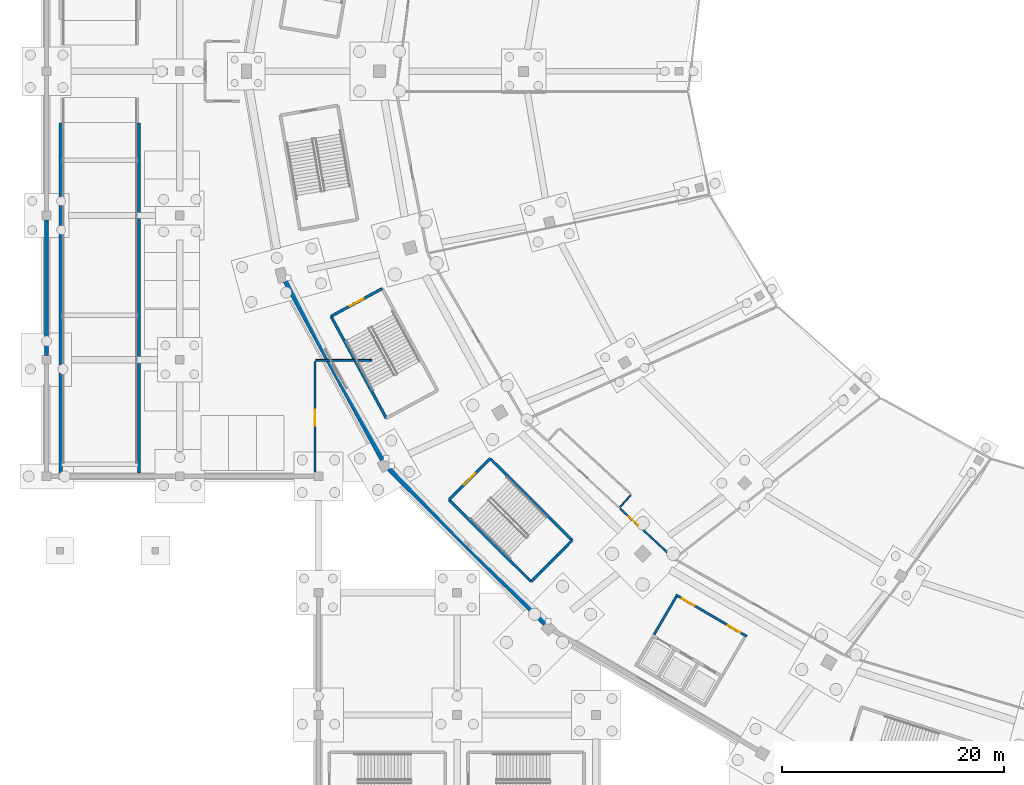
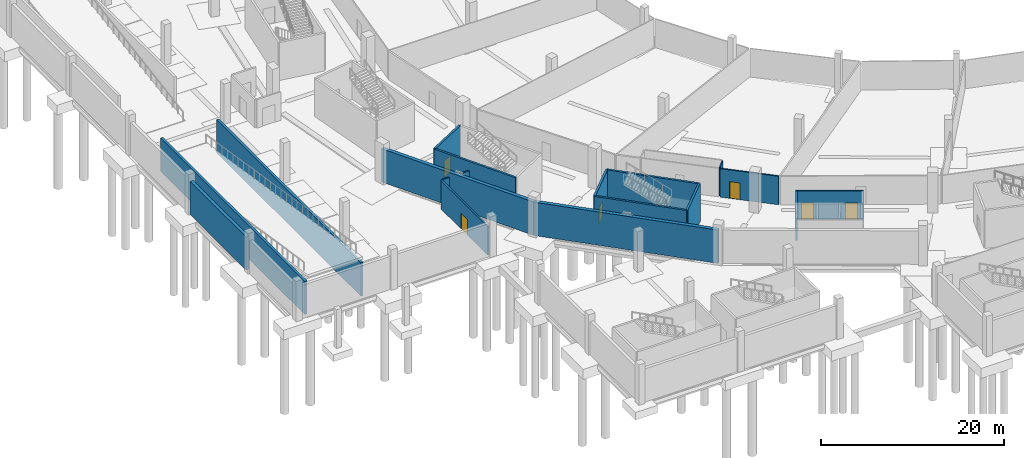
# One storey, part 32 of 74: 17 walls, 6 doors, 6 openings.
"""IFC4 building model written with IfcOpenShell, lengths in metres."""

from ifc_helpers import new_model, si_unit, direction, frame, frame_2d, origin, place, context, subcontext, project, spatial, rectangle, extrude, material, layer, layer_set, type_object, element, fill, save


model = new_model("IFC4")

# Units and contexts
model_context = context("Model", 3, precision=1e-05, world=origin(), true_north=direction((0.0, 1.0)))
body_context = subcontext(model_context, "Body", "Model", "MODEL_VIEW")
ifc_project = project(units=[si_unit("LENGTHUNIT", "METRE"), si_unit("AREAUNIT", "SQUARE_METRE"), si_unit("VOLUMEUNIT", "CUBIC_METRE"), si_unit("PLANEANGLEUNIT", "RADIAN"), si_unit("MASSUNIT", "GRAM", prefix="KILO")], contexts=[model_context])

# Site, building, storey
site_placement = place(None, origin())
site = spatial("IfcSite", under=ifc_project, at=site_placement, CompositionType="ELEMENT")
building_placement = place(site_placement, origin())
building = spatial("IfcBuilding", under=site, at=building_placement, Name="Zlatoyarsky Gate Stadium", CompositionType="ELEMENT")
storey_placement = place(building_placement, frame((0.0, 0.0, -5.39990234375)))
storey = spatial("IfcBuildingStorey", under=building, at=storey_placement, Name="B1", CompositionType="ELEMENT", Elevation=-5.39990234375)

# Wall, opening, door
ifc_material_1 = material(Name="Gypsum-clad mineral wool fire partition", Category="gypsum")
ifc_layer_1 = layer(ifc_material_1, 0.199951171875)
ifc_layer_set_1 = layer_set([ifc_layer_1], Name="Gypsum-clad mineral wool fire partition")
wall_type_1 = type_object("IfcWallType", Name="COMPARTMENT FIRE PARTITION WALL 200", PredefinedType="PARTITIONING", material=ifc_layer_set_1)
wall_1_placement = place(storey_placement, frame((24.179931640625, 43.68505859375, 0.0), z_axis=(0.0, 0.0, 1.0), x_axis=(0.0, 1.0, 0.0)))
wall_1 = element("IfcWall", 1, at=wall_1_placement, inside=storey, type_object=wall_type_1, Name="B1 interior partition PRT-B1-CHF-SW", PredefinedType="PARTITIONING", context=body_context, shape_type="SweptSolid", body=[
    extrude(rectangle(XDim=10.179931640625, YDim=0.199951171875, at=frame_2d((5.08984375, 0.0))), origin(), (0.0, 0.0, 1.0), 3.7998046875),
])
opening_1_placement = place(wall_1_placement, frame((4.3701171875, 0.0, 0.0)))
opening_1 = element("IfcOpeningElement", 2, at=opening_1_placement, cuts=wall_1, Name="Opening D-B1-088", PredefinedType="OPENING", context=body_context, shape_type="SweptSolid", body=[
    extrude(rectangle(XDim=1.43994140625, YDim=2.10009765625, at=frame_2d((0.719970703125, 1.050048828125))), frame((0.0, 0.10986328125, 0.0), z_axis=(0.0, -1.0, 0.0), x_axis=(1.0, 0.0, 0.0)), (0.0, 0.0, 1.0), 0.219970703125),
])
ifc_material_2 = material(Name="Powder-coated steel fire door", Category="steel")
door_type_1 = type_object("IfcDoorType", Name="ACOUSTIC INTERIOR DOOR 1440X2100", OperationType="NOTDEFINED", PredefinedType="DOOR", material=ifc_material_2)
door_1_placement = place(opening_1_placement, origin())
door_1 = element("IfcDoor", 3, at=door_1_placement, inside=storey, type_object=door_type_1, Name="B1 room door D-B1-088", OperationType="SINGLE_SWING_RIGHT", OverallHeight=2.10009765625, OverallWidth=1.43994140625, PredefinedType="DOOR", context=body_context, shape_type="SweptSolid", body=[
    extrude(rectangle(XDim=1.43994140625, YDim=2.10009765625, at=frame_2d((0.719970703125, 1.050048828125))), frame((0.0, 0.02490234375, 0.0), z_axis=(0.0, -1.0, 0.0), x_axis=(1.0, 0.0, 0.0)), (0.0, 0.0, 1.0), 0.050048828125),
])
fill(opening_1, door_1)

# Walls
ifc_material_3 = material(Name="Concrete C35/45", Category="concrete")
ifc_layer_2 = layer(ifc_material_3, 0.419921875)
ifc_layer_set_2 = layer_set([ifc_layer_2], Name="Concrete C35/45")
wall_type_2 = type_object("IfcWallType", Name="CONCRETE BASEMENT RETAINING WALL 420", PredefinedType="SOLIDWALL", material=ifc_layer_set_2)
wall_2_placement = place(storey_placement, frame((21.21728515625, 61.63671875, 0.0), z_axis=(0.0, 0.0, 1.0), x_axis=(0.476947954388, -0.878931538178, 0.0)))
element("IfcWall", 4, at=wall_2_placement, inside=storey, type_object=wall_type_2, Name="B1 perimeter retaining wall sector 13", PredefinedType="SOLIDWALL", context=body_context, shape_type="SweptSolid", body=[
    extrude(rectangle(XDim=19.468994140625, YDim=0.419921875, at=frame_2d((9.734375, 0.0))), origin(), (0.0, 0.0, 1.0), 4.449951171875),
])
wall_3_placement = place(storey_placement, frame((30.5029296875, 44.52490234375, 0.0), z_axis=(0.0, 0.0, 1.0), x_axis=(0.708961581499, -0.705247102765, 0.0)))
element("IfcWall", 5, at=wall_3_placement, inside=storey, type_object=wall_type_2, Name="B1 perimeter retaining wall sector 14", PredefinedType="SOLIDWALL", context=body_context, shape_type="SweptSolid", body=[
    extrude(rectangle(XDim=20.83544921875, YDim=0.419921875, at=frame_2d((10.417724609375, 0.0))), origin(), (0.0, 0.0, 1.0), 4.449951171875),
])
ifc_layer_3 = layer(ifc_material_3, 0.3798828125)
ifc_layer_set_3 = layer_set([ifc_layer_3], Name="Concrete C35/45")
wall_type_3 = type_object("IfcWallType", Name="CONCRETE RAMP RETAINING WALL 380", PredefinedType="SOLIDWALL", material=ifc_layer_set_3)
wall_4_placement = place(storey_placement, frame((0.0, 54.39697265625, 0.0), z_axis=(0.0, 0.0, 1.0), x_axis=(0.0, 1.0, 0.0)))
element("IfcWall", 6, at=wall_4_placement, inside=storey, type_object=wall_type_3, Name="V4_WEST B1 W_LO exterior wall", PredefinedType="SOLIDWALL", context=body_context, shape_type="SweptSolid", body=[
    extrude(rectangle(XDim=12.2060546875, YDim=0.3798828125, at=frame_2d((6.10302734375, 0.0))), origin(), (0.0, 0.0, 1.0), 4.429931640625),
])
ifc_material_4 = material(Name="Concrete C40/50", Category="concrete")
ifc_layer_4 = layer(ifc_material_4, 0.2900390625)
ifc_layer_set_4 = layer_set([ifc_layer_4], Name="Concrete C40/50")
wall_type_4 = type_object("IfcWallType", Name="CONCRETE RAMP SHAFT WALL 290", PredefinedType="SHEAR", material=ifc_layer_set_4)
for number, where, z_axis, x_axis, name in (
    (7, (1.27001953125, 43.800048828125, 0.0), (0.0, 0.0, 1.0), (0.0, 1.0, 0.0), "B1 ramp shaft wall VR-01 W"),
    (8, (8.330078125, 43.800048828125, 0.0), (0.0, 0.0, 1.0), (0.0, 1.0, 0.0), "B1 ramp shaft wall VR-01 E"),
):
    element("IfcWall", number, at=place(storey_placement, frame(where, z_axis=z_axis, x_axis=x_axis)), inside=storey, type_object=wall_type_4, Name=name, PredefinedType="SHEAR", context=body_context, shape_type="SweptSolid", body=[
        extrude(rectangle(XDim=31.550048828125, YDim=0.2900390625, at=frame_2d((15.77490234375, 0.0))), origin(), (0.0, 0.0, 1.0), 4.449951171875),
    ])

# Wall, opening, door
ifc_layer_5 = layer(ifc_material_4, 0.25)
ifc_layer_set_5 = layer_set([ifc_layer_5], Name="Concrete C40/50")
wall_type_5 = type_object("IfcWallType", Name="CONCRETE STAIR CORE SHEAR WALL 250", PredefinedType="SHEAR", material=ifc_layer_set_5)
wall_5_placement = place(storey_placement, frame((39.961181640625, 45.10205078125, 0.0), z_axis=(0.0, 0.0, 1.0), x_axis=(-0.705314141126, -0.708894888067, 0.0)))
wall_5 = element("IfcWall", 9, at=wall_5_placement, inside=storey, type_object=wall_type_5, Name="ST-08 B1 stair core entrance shear wall", PredefinedType="SHEAR", context=body_context, shape_type="SweptSolid", body=[
    extrude(rectangle(XDim=5.25, YDim=0.25, at=frame_2d((2.625, 0.0))), origin(), (0.0, 0.0, 1.0), 5.0498046875),
])
opening_2_placement = place(wall_5_placement, frame((1.925048828125, 0.0, 0.0)))
opening_2 = element("IfcOpeningElement", 10, at=opening_2_placement, cuts=wall_5, Name="Opening SD-ST-08-B1", PredefinedType="OPENING", context=body_context, shape_type="SweptSolid", body=[
    extrude(rectangle(XDim=1.39990234375, YDim=2.199951171875, at=frame_2d((0.699951171875, 1.10009765625))), frame((0.0, 0.135009765625, 0.0), z_axis=(0.0, -1.0, 0.0), x_axis=(1.0, 0.0, 0.0)), (0.0, 0.0, 1.0), 0.27001953125),
])
door_type_2 = type_object("IfcDoorType", Name="STAIR CORE FIRE EXIT DOOR 1400X2200", OperationType="NOTDEFINED", PredefinedType="DOOR", material=ifc_material_2)
door_2_placement = place(opening_2_placement, frame((1.39990234375, 0.0, 0.0), z_axis=(0.0, 0.0, 1.0), x_axis=(-1.0, 0.0, 0.0)))
door_2 = element("IfcDoor", 11, at=door_2_placement, inside=storey, type_object=door_type_2, Name="ST-08 B1 stair fire door", OperationType="SINGLE_SWING_LEFT", OverallHeight=2.199951171875, OverallWidth=1.39990234375, PredefinedType="DOOR", context=body_context, shape_type="SweptSolid", body=[
    extrude(rectangle(XDim=1.39990234375, YDim=2.199951171875, at=frame_2d((0.699951171875, 1.10009765625))), frame((0.0, 0.02490234375, 0.0), z_axis=(0.0, -1.0, 0.0), x_axis=(1.0, 0.0, 0.0)), (0.0, 0.0, 1.0), 0.050048828125),
])
fill(opening_2, door_2)

# Walls
wall_6_placement = place(storey_placement, frame((36.25830078125, 41.38037109375, 0.0), z_axis=(0.0, 0.0, 1.0), x_axis=(0.708891762409, -0.705317282639, 0.0)))
element("IfcWall", 12, at=wall_6_placement, inside=storey, type_object=wall_type_5, Name="ST-08 B1 stair core left shear wall", PredefinedType="SHEAR", context=body_context, shape_type="SweptSolid", body=[
    extrude(rectangle(XDim=10.449951171875, YDim=0.25, at=frame_2d((5.22509765625, 0.0))), origin(), (0.0, 0.0, 1.0), 5.0498046875),
])
wall_7_placement = place(storey_placement, frame((43.666259765625, 34.009765625, 0.0), z_axis=(0.0, 0.0, 1.0), x_axis=(0.705314141126, 0.708894888067, 0.0)))
element("IfcWall", 13, at=wall_7_placement, inside=storey, type_object=wall_type_5, Name="ST-08 B1 stair core far shear wall", PredefinedType="SHEAR", context=body_context, shape_type="SweptSolid", body=[
    extrude(rectangle(XDim=5.25, YDim=0.25, at=frame_2d((2.625, 0.0))), origin(), (0.0, 0.0, 1.0), 5.0498046875),
])
wall_8_placement = place(storey_placement, frame((47.369140625, 37.7314453125, 0.0), z_axis=(0.0, 0.0, 1.0), x_axis=(-0.708891762409, 0.705317282639, 0.0)))
element("IfcWall", 14, at=wall_8_placement, inside=storey, type_object=wall_type_5, Name="ST-08 B1 stair core right shear wall", PredefinedType="SHEAR", context=body_context, shape_type="SweptSolid", body=[
    extrude(rectangle(XDim=10.449951171875, YDim=0.25, at=frame_2d((5.22509765625, 0.0))), origin(), (0.0, 0.0, 1.0), 5.0498046875),
])

# Wall, opening, door
wall_9_placement = place(storey_placement, frame((30.246337890625, 60.420166015625, 0.0), z_axis=(0.0, 0.0, 1.0), x_axis=(-0.878961487093, -0.47689275965, 0.0)))
wall_9 = element("IfcWall", 15, at=wall_9_placement, inside=storey, type_object=wall_type_5, Name="ST-15 B1 stair core entrance shear wall", PredefinedType="SHEAR", context=body_context, shape_type="SweptSolid", body=[
    extrude(rectangle(XDim=5.25, YDim=0.25, at=frame_2d((2.625, 0.0))), origin(), (0.0, 0.0, 1.0), 5.0498046875),
])
opening_3_placement = place(wall_9_placement, frame((1.925048828125, 0.0, 0.0)))
opening_3 = element("IfcOpeningElement", 16, at=opening_3_placement, cuts=wall_9, Name="Opening SD-ST-15-B1", PredefinedType="OPENING", context=body_context, shape_type="SweptSolid", body=[
    extrude(rectangle(XDim=1.39990234375, YDim=2.199951171875, at=frame_2d((0.699951171875, 1.10009765625))), frame((0.0, 0.135009765625, 0.0), z_axis=(0.0, -1.0, 0.0), x_axis=(1.0, 0.0, 0.0)), (0.0, 0.0, 1.0), 0.27001953125),
])
door_3_placement = place(opening_3_placement, frame((1.39990234375, 0.0, 0.0), z_axis=(0.0, 0.0, 1.0), x_axis=(-1.0, 0.0, 0.0)))
door_3 = element("IfcDoor", 17, at=door_3_placement, inside=storey, type_object=door_type_2, Name="ST-15 B1 stair fire door", OperationType="SINGLE_SWING_LEFT", OverallHeight=2.199951171875, OverallWidth=1.39990234375, PredefinedType="DOOR", context=body_context, shape_type="SweptSolid", body=[
    extrude(rectangle(XDim=1.39990234375, YDim=2.199951171875, at=frame_2d((0.699951171875, 1.10009765625))), frame((0.0, 0.02490234375, 0.0), z_axis=(0.0, -1.0, 0.0), x_axis=(1.0, 0.0, 0.0)), (0.0, 0.0, 1.0), 0.050048828125),
])
fill(opening_3, door_3)

# Walls
wall_10_placement = place(storey_placement, frame((25.6318359375, 57.91650390625, 0.0), z_axis=(0.0, 0.0, 1.0), x_axis=(0.476876856974, -0.878970115125, 0.0)))
element("IfcWall", 18, at=wall_10_placement, inside=storey, type_object=wall_type_5, Name="ST-15 B1 stair core left shear wall", PredefinedType="SHEAR", context=body_context, shape_type="SweptSolid", body=[
    extrude(rectangle(XDim=10.4501953125, YDim=0.25, at=frame_2d((5.22509765625, 0.0))), origin(), (0.0, 0.0, 1.0), 5.0498046875),
])
ifc_material_5 = material(Name="Autoclaved aerated concrete masonry EI 120", Category="masonry")
ifc_layer_6 = layer(ifc_material_5, 0.219970703125)
ifc_layer_set_6 = layer_set([ifc_layer_6], Name="Autoclaved aerated concrete masonry EI 120")
wall_type_6 = type_object("IfcWallType", Name="FIREFIGHTING LOBBY RATED WALL 220", PredefinedType="PARTITIONING", material=ifc_layer_set_6)
wall_11_placement = place(storey_placement, frame((54.7421875, 29.233642578125, 0.0), z_axis=(0.0, 0.0, 1.0), x_axis=(0.505464443681, 0.862847435051, 0.0)))
element("IfcWall", 19, at=wall_11_placement, inside=storey, type_object=wall_type_6, Name="C3 B1 firefighting lobby left wall", PredefinedType="PARTITIONING", context=body_context, shape_type="SweptSolid", body=[
    extrude(rectangle(XDim=3.97998046875, YDim=0.219970703125, at=frame_2d((1.989990234375, 0.0))), origin(), (0.0, 0.0, 1.0), 3.7998046875),
])

# Wall, openings, doors
wall_12_placement = place(storey_placement, frame((56.714599609375, 32.818359375, 0.0), z_axis=(0.0, 0.0, 1.0), x_axis=(0.862851295616, -0.505457853488, 0.0)))
wall_12 = element("IfcWall", 20, at=wall_12_placement, inside=storey, type_object=wall_type_6, Name="C3 B1 firefighting lobby front wall", PredefinedType="PARTITIONING", context=body_context, shape_type="SweptSolid", body=[
    extrude(rectangle(XDim=7.400146484375, YDim=0.219970703125, at=frame_2d((3.7001953125, 0.0))), origin(), (0.0, 0.0, 1.0), 3.7998046875),
])
opening_4_placement = place(wall_12_placement, frame((0.64990234375, 0.0, 0.0)))
opening_4 = element("IfcOpeningElement", 21, at=opening_4_placement, cuts=wall_12, Name="Opening FD-C3-B1-A", PredefinedType="OPENING", context=body_context, shape_type="SweptSolid", body=[
    extrude(rectangle(XDim=1.300048828125, YDim=2.199951171875, at=frame_2d((0.64990234375, 1.10009765625))), frame((0.0, 0.119873046875, 0.0), z_axis=(0.0, -1.0, 0.0), x_axis=(1.0, 0.0, 0.0)), (0.0, 0.0, 1.0), 0.239990234375),
])
opening_5_placement = place(wall_12_placement, frame((5.449951171875, 0.0, 0.0)))
opening_5 = element("IfcOpeningElement", 22, at=opening_5_placement, cuts=wall_12, Name="Opening FD-C3-B1-B", PredefinedType="OPENING", context=body_context, shape_type="SweptSolid", body=[
    extrude(rectangle(XDim=1.300048828125, YDim=2.199951171875, at=frame_2d((0.64990234375, 1.10009765625))), frame((0.0, 0.119873046875, 0.0), z_axis=(0.0, -1.0, 0.0), x_axis=(1.0, 0.0, 0.0)), (0.0, 0.0, 1.0), 0.239990234375),
])
door_type_3 = type_object("IfcDoorType", Name="FIREFIGHTING LOBBY FIRE DOOR 1300X2200", OperationType="NOTDEFINED", PredefinedType="DOOR", material=ifc_material_2)
door_4_placement = place(opening_4_placement, origin())
door_4 = element("IfcDoor", 23, at=door_4_placement, inside=storey, type_object=door_type_3, Name="C3 B1 firefighting lobby fire door FD-C3-B1-A", OperationType="SINGLE_SWING_LEFT", OverallHeight=2.199951171875, OverallWidth=1.300048828125, PredefinedType="DOOR", context=body_context, shape_type="SweptSolid", body=[
    extrude(rectangle(XDim=1.300048828125, YDim=2.199951171875, at=frame_2d((0.64990234375, 1.10009765625))), frame((0.0, 0.02490234375, 0.0), z_axis=(0.0, -1.0, 0.0), x_axis=(1.0, 0.0, 0.0)), (0.0, 0.0, 1.0), 0.050048828125),
])
fill(opening_4, door_4)
door_5_placement = place(opening_5_placement, origin())
door_5 = element("IfcDoor", 24, at=door_5_placement, inside=storey, type_object=door_type_3, Name="C3 B1 firefighting lobby fire door FD-C3-B1-B", OperationType="SINGLE_SWING_RIGHT", OverallHeight=2.199951171875, OverallWidth=1.300048828125, PredefinedType="DOOR", context=body_context, shape_type="SweptSolid", body=[
    extrude(rectangle(XDim=1.300048828125, YDim=2.199951171875, at=frame_2d((0.64990234375, 1.10009765625))), frame((0.0, 0.02490234375, 0.0), z_axis=(0.0, -1.0, 0.0), x_axis=(1.0, 0.0, 0.0)), (0.0, 0.0, 1.0), 0.050048828125),
])
fill(opening_5, door_5)

# Wall, opening, door
ifc_layer_7 = layer(ifc_material_1, 0.179931640625)
ifc_layer_set_7 = layer_set([ifc_layer_7], Name="Gypsum-clad mineral wool fire partition")
wall_type_7 = type_object("IfcWallType", Name="PLANT AND KITCHEN RATED WALL 180", PredefinedType="PARTITIONING", material=ifc_layer_set_7)
wall_13_placement = place(storey_placement, frame((51.66552734375, 40.606689453125, 0.0), z_axis=(0.0, 0.0, 1.0), x_axis=(0.732995223413, -0.680233785146, 0.0)))
wall_13 = element("IfcWall", 25, at=wall_13_placement, inside=storey, type_object=wall_type_7, Name="B1 interior partition PRT-B1-ICC-14", PredefinedType="PARTITIONING", context=body_context, shape_type="SweptSolid", body=[
    extrude(rectangle(XDim=6.59375, YDim=0.179931640625, at=frame_2d((3.296875, 0.0))), origin(), (0.0, 0.0, 1.0), 3.7998046875),
])
opening_6_placement = place(wall_13_placement, frame((1.10009765625, 0.0, 0.0)))
opening_6 = element("IfcOpeningElement", 26, at=opening_6_placement, cuts=wall_13, Name="Opening D-B1-059", PredefinedType="OPENING", context=body_context, shape_type="SweptSolid", body=[
    extrude(rectangle(XDim=1.159912109375, YDim=2.239990234375, at=frame_2d((0.580078125, 1.1201171875))), frame((0.0, 0.099853515625, 0.0), z_axis=(0.0, -1.0, 0.0), x_axis=(1.0, 0.0, 0.0)), (0.0, 0.0, 1.0), 0.199951171875),
])
door_type_4 = type_object("IfcDoorType", Name="ACOUSTIC INTERIOR DOOR 1160X2240", OperationType="NOTDEFINED", PredefinedType="DOOR", material=ifc_material_2)
door_6_placement = place(opening_6_placement, origin())
door_6 = element("IfcDoor", 27, at=door_6_placement, inside=storey, type_object=door_type_4, Name="B1 room door D-B1-059", OperationType="SINGLE_SWING_RIGHT", OverallHeight=2.239990234375, OverallWidth=1.159912109375, PredefinedType="DOOR", context=body_context, shape_type="SweptSolid", body=[
    extrude(rectangle(XDim=1.159912109375, YDim=2.239990234375, at=frame_2d((0.580078125, 1.1201171875))), frame((0.0, 0.02490234375, 0.0), z_axis=(0.0, -1.0, 0.0), x_axis=(1.0, 0.0, 0.0)), (0.0, 0.0, 1.0), 0.050048828125),
])
fill(opening_6, door_6)

# Walls
wall_14_placement = place(storey_placement, frame((24.264892578125, 53.949951171875, 0.0), z_axis=(0.0, 0.0, 1.0), x_axis=(1.0, 0.0, 0.0)))
element("IfcWall", 28, at=wall_14_placement, inside=storey, type_object=wall_type_7, Name="B1 interior partition PRT-B1-CHF-SR", PredefinedType="PARTITIONING", context=body_context, shape_type="SweptSolid", body=[
    extrude(rectangle(XDim=5.050048828125, YDim=0.179931640625, at=frame_2d((2.52490234375, 0.0))), origin(), (0.0, 0.0, 1.0), 3.7998046875),
])
ifc_material_6 = material(Name="Moisture-resistant tile-backed partition", Category="gypsum")
ifc_layer_8 = layer(ifc_material_6, 0.1298828125)
ifc_layer_set_8 = layer_set([ifc_layer_8], Name="Moisture-resistant tile-backed partition")
wall_type_8 = type_object("IfcWallType", Name="SANITARY WET ROOM PARTITION 130", PredefinedType="PARTITIONING", material=ifc_layer_set_8)
wall_15_placement = place(storey_placement, frame((51.660888671875, 40.726806640625, 0.0), z_axis=(0.0, 0.0, 1.0), x_axis=(0.68032667307, 0.732909010662, 0.0)))
element("IfcWall", 29, at=wall_15_placement, inside=storey, type_object=wall_type_8, Name="B1 interior partition PRT-B1-WC14-R", PredefinedType="PARTITIONING", context=body_context, shape_type="SweptSolid", body=[
    extrude(rectangle(XDim=1.429931640625, YDim=0.1298828125, at=frame_2d((0.71484375, 0.0))), origin(), (0.0, 0.0, 1.0), 3.7998046875),
])

save(model, "model.ifc")
